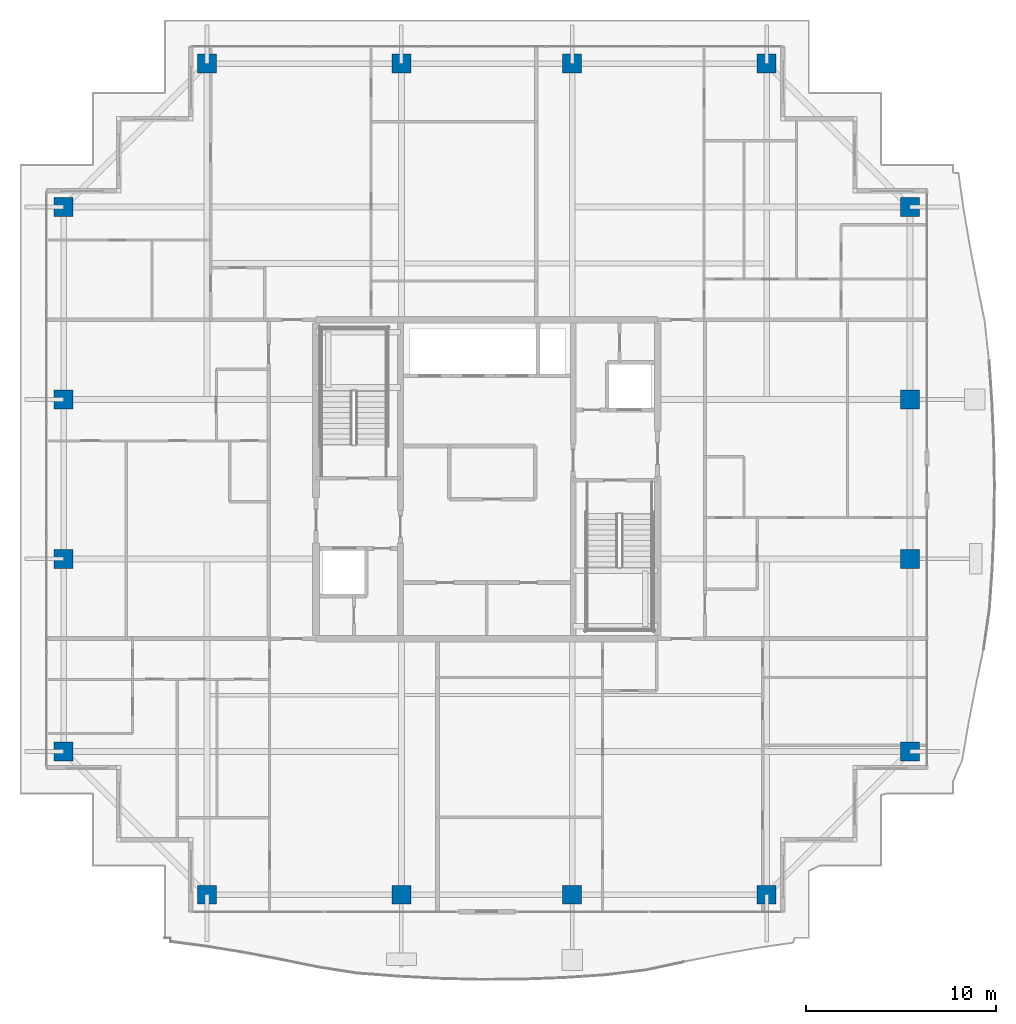
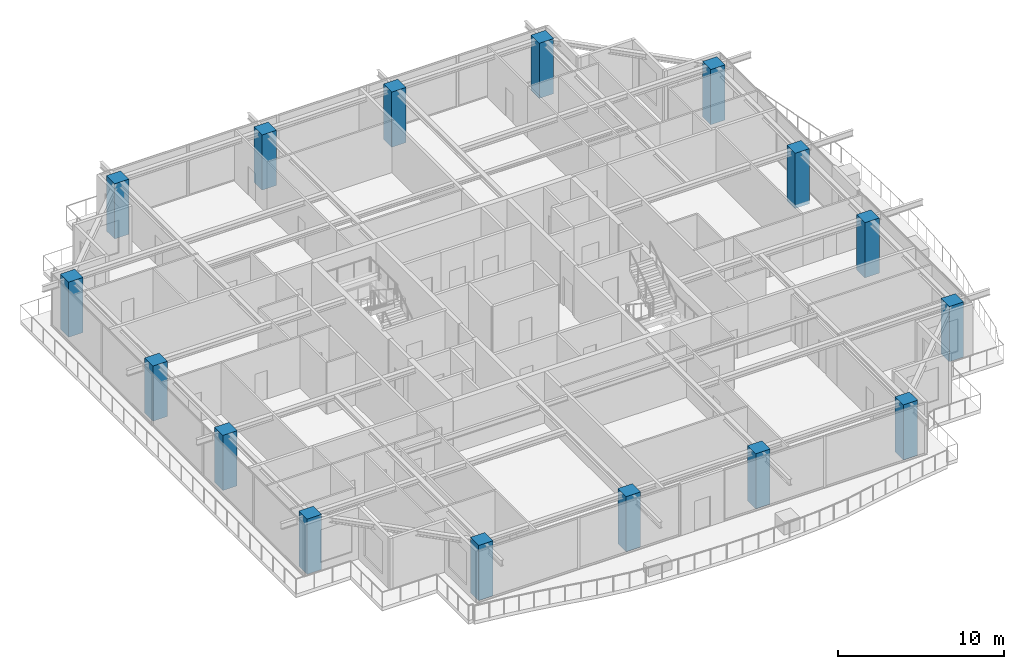
# One storey, part 1 of 42: 16 columns.
"""IFC4 building model written with IfcOpenShell, lengths in metres."""

from ifc_helpers import new_model, si_unit, direction, frame, origin, origin_2d, place, context, subcontext, project, spatial, rectangle, extrude, source, transform, mapped, material, material_profile, profile_set, type_object, element, save


model = new_model("IFC4")

# Units and contexts
model_context = context("Model", 3, precision=1e-05, world=origin(), true_north=direction((0.0, 1.0)))
body_context = subcontext(model_context, "Body", "Model", "MODEL_VIEW")
ifc_project = project(units=[si_unit("LENGTHUNIT", "METRE"), si_unit("AREAUNIT", "SQUARE_METRE"), si_unit("VOLUMEUNIT", "CUBIC_METRE"), si_unit("PLANEANGLEUNIT", "RADIAN"), si_unit("MASSUNIT", "GRAM", prefix="KILO")], contexts=[model_context])

# Site, building, storey
site_placement = place(None, origin())
site = spatial("IfcSite", under=ifc_project, at=site_placement, CompositionType="ELEMENT")
building_placement = place(site_placement, origin())
building = spatial("IfcBuilding", under=site, at=building_placement, Name="Serunith Strait Residences", CompositionType="ELEMENT")
storey_placement = place(building_placement, frame((0.0, 0.0, 297.5)))
storey = spatial("IfcBuildingStorey", under=building, at=storey_placement, Name="L74", CompositionType="ELEMENT", Elevation=297.5)

# Columns
ifc_material = material(Name="Concrete C70/85", Category="concrete")
ifc_material_profile = material_profile(ifc_material, rectangle(XDim=1.0, YDim=1.0, at=origin_2d()), Name="RC 1000x1000")
ifc_profile_set = profile_set([ifc_material_profile], Name="Concrete C70/85")
column_type = type_object("IfcColumnType", Name="COL-RC-1000", PredefinedType="COLUMN", material=ifc_profile_set)
shared_shape = source(origin(), body_context, "Body", "SweptSolid", [
    extrude(rectangle(XDim=1.0, YDim=1.0, at=origin_2d()), origin(), (0.0, 0.0, 1.0), 4.050048828125),
])
for number, where, z_axis, x_axis, name in (
    (1, (17.64990234375, 3.300048828125, -0.260009765625), (0.0, 0.0, 1.0), (1.0, 0.0, 0.0), "L74 Tower Mega-Column TC-S1"),
    (2, (27.89990234375, 3.300048828125, -0.260009765625), (0.0, 0.0, 1.0), (1.0, 0.0, 0.0), "L74 Tower Mega-Column TC-S2"),
    (3, (36.89990234375, 3.300048828125, -0.260009765625), (0.0, 0.0, 1.0), (1.0, 0.0, 0.0), "L74 Tower Mega-Column TC-S3"),
    (4, (47.14990234375, 3.300048828125, -0.260009765625), (0.0, 0.0, 1.0), (1.0, 0.0, 0.0), "L74 Tower Mega-Column TC-S4"),
    (5, (17.64990234375, 47.10009765625, -0.260009765625), (0.0, 0.0, 1.0), (1.0, 0.0, 0.0), "L74 Tower Mega-Column TC-N1"),
    (6, (27.89990234375, 47.10009765625, -0.260009765625), (0.0, 0.0, 1.0), (1.0, 0.0, 0.0), "L74 Tower Mega-Column TC-N2"),
    (7, (36.89990234375, 47.10009765625, -0.260009765625), (0.0, 0.0, 1.0), (1.0, 0.0, 0.0), "L74 Tower Mega-Column TC-N3"),
    (8, (47.14990234375, 47.10009765625, -0.260009765625), (0.0, 0.0, 1.0), (1.0, 0.0, 0.0), "L74 Tower Mega-Column TC-N4"),
    (9, (54.699951171875, 10.85009765625, -0.260009765625), (0.0, 0.0, 1.0), (1.0, 0.0, 0.0), "L74 Tower Mega-Column TC-E1"),
    (10, (54.699951171875, 21.0, -0.260009765625), (0.0, 0.0, 1.0), (1.0, 0.0, 0.0), "L74 Tower Mega-Column TC-E2"),
    (11, (54.699951171875, 29.39990234375, -0.260009765625), (0.0, 0.0, 1.0), (1.0, 0.0, 0.0), "L74 Tower Mega-Column TC-E3"),
    (12, (54.699951171875, 39.550048828125, -0.260009765625), (0.0, 0.0, 1.0), (1.0, 0.0, 0.0), "L74 Tower Mega-Column TC-E4"),
    (13, (10.10009765625, 10.85009765625, -0.260009765625), (0.0, 0.0, 1.0), (1.0, 0.0, 0.0), "L74 Tower Mega-Column TC-W1"),
    (14, (10.10009765625, 21.0, -0.260009765625), (0.0, 0.0, 1.0), (1.0, 0.0, 0.0), "L74 Tower Mega-Column TC-W2"),
    (15, (10.10009765625, 29.39990234375, -0.260009765625), (0.0, 0.0, 1.0), (1.0, 0.0, 0.0), "L74 Tower Mega-Column TC-W3"),
    (16, (10.10009765625, 39.550048828125, -0.260009765625), (0.0, 0.0, 1.0), (1.0, 0.0, 0.0), "L74 Tower Mega-Column TC-W4"),
):
    element("IfcColumn", number, at=place(storey_placement, frame(where, z_axis=z_axis, x_axis=x_axis)), inside=storey, type_object=column_type, Name=name, PredefinedType="COLUMN", context=body_context, shape_type="MappedRepresentation", body=[
        mapped(shared_shape, transform((0.0, 0.0, 0.0), scale=1.0)),
    ])

save(model, "model.ifc")
